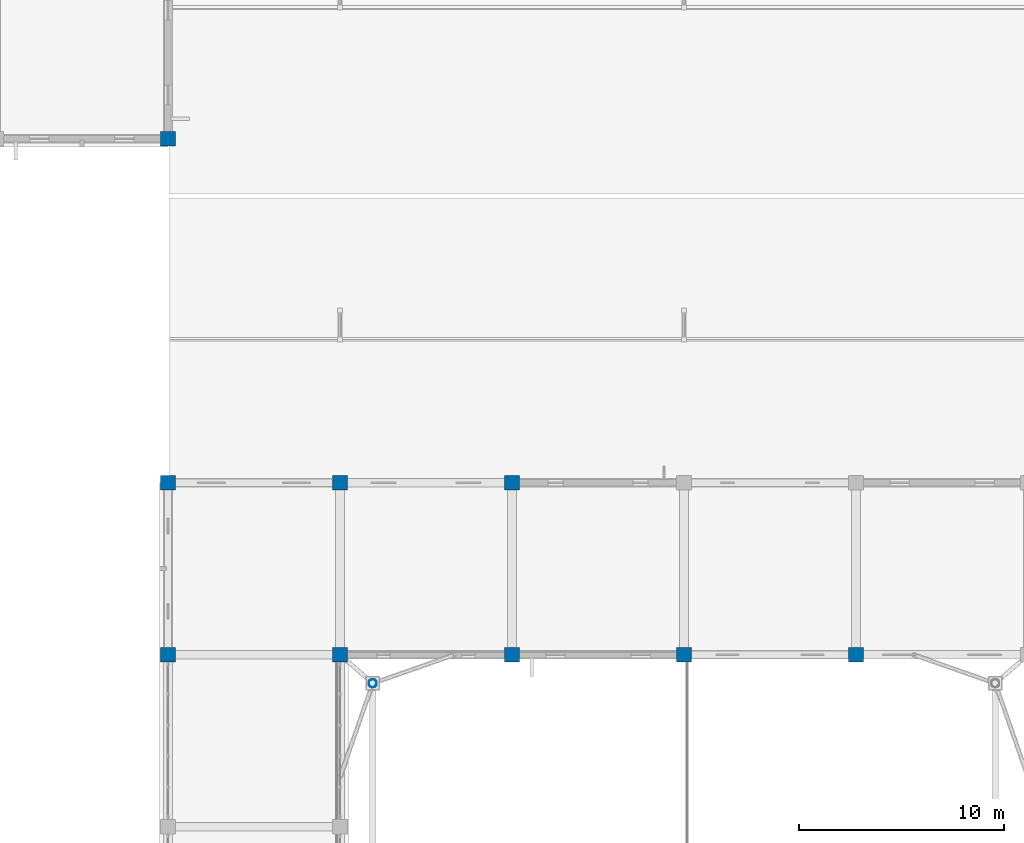
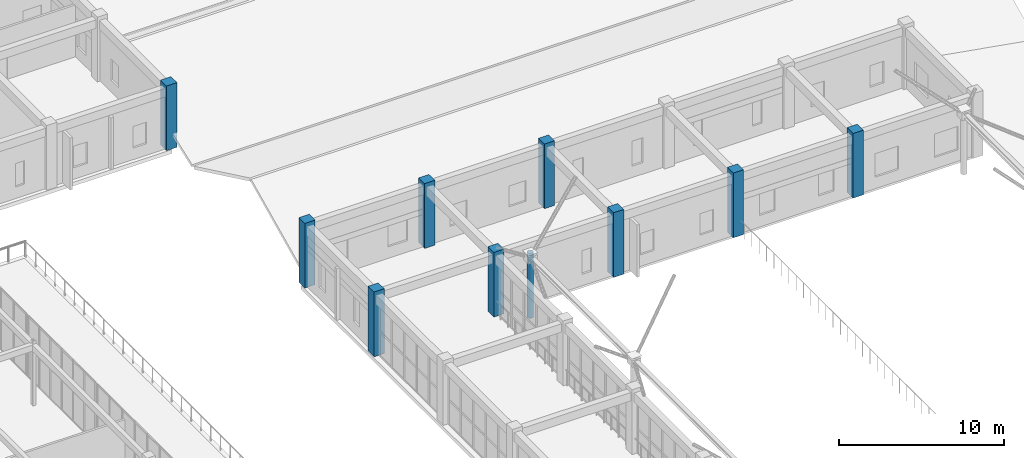
# One storey, part 14 of 158: 10 columns.
"""IFC4 building model written with IfcOpenShell, lengths in metres."""

from ifc_helpers import new_model, si_unit, direction, frame, origin, origin_2d, place, context, subcontext, project, spatial, rectangle, hollow_circle, extrude, material, material_profile, profile_set, type_object, element, save


model = new_model("IFC4")

# Units and contexts
model_context = context("Model", 3, precision=1e-05, world=origin(), true_north=direction((0.0, 1.0)))
body_context = subcontext(model_context, "Body", "Model", "MODEL_VIEW")
ifc_project = project(units=[si_unit("LENGTHUNIT", "METRE"), si_unit("AREAUNIT", "SQUARE_METRE"), si_unit("VOLUMEUNIT", "CUBIC_METRE"), si_unit("PLANEANGLEUNIT", "RADIAN"), si_unit("MASSUNIT", "GRAM", prefix="KILO")], contexts=[model_context])

# Site, building, storey
site_placement = place(None, origin())
site = spatial("IfcSite", under=ifc_project, at=site_placement, CompositionType="ELEMENT")
building_placement = place(site_placement, origin())
building = spatial("IfcBuilding", under=site, at=building_placement, Name="Trelvath General Hospital", CompositionType="ELEMENT")
storey_placement = place(building_placement, frame((0.0, 0.0, 8.10009765625)))
storey = spatial("IfcBuildingStorey", under=building, at=storey_placement, Name="L02", CompositionType="ELEMENT", Elevation=8.10009765625)

# Columns
ifc_material_1 = material(Name="Concrete C40/50", Category="concrete")
ifc_material_profile_1 = material_profile(ifc_material_1, rectangle(XDim=0.719970703125, YDim=0.719970703125, at=origin_2d()), Name="RC720x720")
ifc_profile_set_1 = profile_set([ifc_material_profile_1], Name="Concrete C40/50")
column_type_1 = type_object("IfcColumnType", Name="Column RC720", PredefinedType="COLUMN", material=ifc_profile_set_1)
for number, where, z_axis, x_axis, name in (
    (1, (134.39990234375, 67.199951171875, 0.0), (0.0, 0.0, 1.0), (1.0, 0.0, 0.0), "Column C-17I L02"),
    (2, (134.39990234375, 75.60009765625, 0.0), (0.0, 0.0, 1.0), (1.0, 0.0, 0.0), "Column C-17J L02"),
    (3, (134.39990234375, 92.39990234375, 0.0), (0.0, 0.0, 1.0), (1.0, 0.0, 0.0), "Column C-17L L02"),
    (4, (142.800048828125, 67.199951171875, 0.0), (0.0, 0.0, 1.0), (1.0, 0.0, 0.0), "Column C-18I L02"),
    (5, (142.800048828125, 75.60009765625, 0.0), (0.0, 0.0, 1.0), (1.0, 0.0, 0.0), "Column C-18J L02"),
    (6, (151.199951171875, 67.199951171875, 0.0), (0.0, 0.0, 1.0), (1.0, 0.0, 0.0), "Column C-19I L02"),
    (7, (151.199951171875, 75.60009765625, 0.0), (0.0, 0.0, 1.0), (1.0, 0.0, 0.0), "Column C-19J L02"),
    (8, (159.60009765625, 67.199951171875, 0.0), (0.0, 0.0, 1.0), (1.0, 0.0, 0.0), "Column C-20I L02"),
    (9, (168.0, 67.199951171875, 0.0), (0.0, 0.0, 1.0), (1.0, 0.0, 0.0), "Column C-21I L02"),
):
    element("IfcColumn", number, at=place(storey_placement, frame(where, z_axis=z_axis, x_axis=x_axis)), inside=storey, type_object=column_type_1, Name=name, PredefinedType="COLUMN", context=body_context, shape_type="SweptSolid", body=[
        extrude(rectangle(XDim=0.719970703125, YDim=0.719970703125, at=origin_2d()), origin(), (0.0, 0.0, 1.0), 4.7998046875),
    ])
ifc_material_2 = material(Name="Steel S355", Category="steel")
ifc_material_profile_2 = material_profile(ifc_material_2, hollow_circle(Radius=0.203125, WallThickness=0.01416015625, at=origin_2d()), Name="CHS406.4x14.2")
ifc_profile_set_2 = profile_set([ifc_material_profile_2], Name="Steel S355")
column_type_2 = type_object("IfcColumnType", Name="TreeColumn CHS406", PredefinedType="COLUMN", material=ifc_profile_set_2)
column_placement = place(storey_placement, frame((144.39990234375, 65.800048828125, 0.0), z_axis=(0.0, 0.0, 1.0), x_axis=(1.0, 0.0, 0.0)))
element("IfcColumn", 10, at=column_placement, inside=storey, type_object=column_type_2, Name="Space Frame Tree Column TC-04 L02", PredefinedType="COLUMN", context=body_context, shape_type="SweptSolid", body=[
    extrude(hollow_circle(Radius=0.203125, WallThickness=0.01416015625, at=origin_2d()), origin(), (0.0, 0.0, 1.0), 4.7998046875),
])

save(model, "model.ifc")
